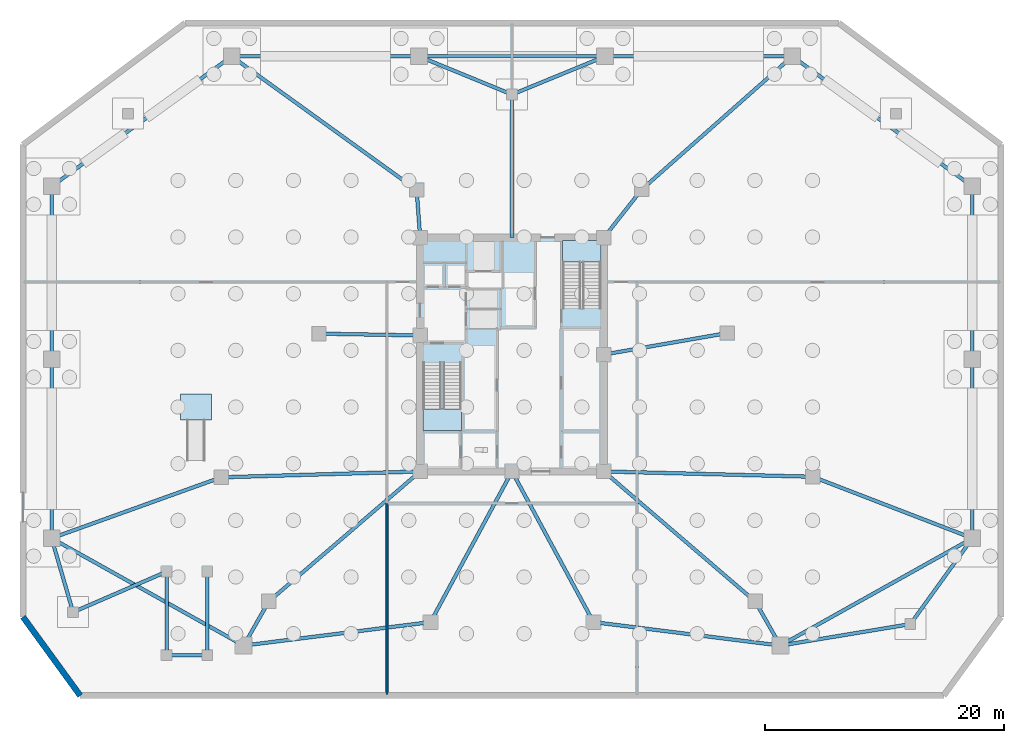
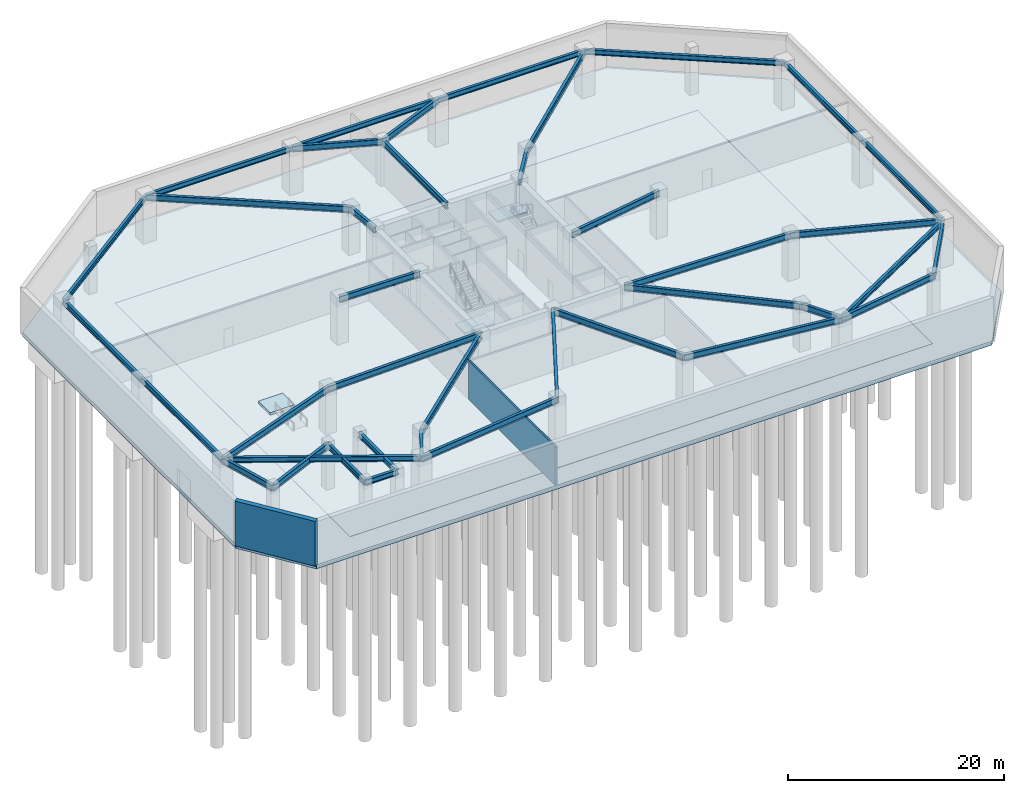
# One storey, part 2 of 12: 39 beams, 5 slabs, 2 walls, 2 elements without a shape of their own.
"""IFC4 building model written with IfcOpenShell, lengths in metres."""

from ifc_helpers import new_model, si_unit, direction, frame, frame_2d, origin, origin_2d, place, context, subcontext, project, spatial, polyline, rectangle, i_section, outline, extrude, material, layer, layer_set, material_profile, profile_set, type_object, element, aggregate, save


model = new_model("IFC4")

# Units and contexts
model_context = context("Model", 3, precision=1e-05, world=origin(), true_north=direction((0.0, 1.0)))
body_context = subcontext(model_context, "Body", "Model", "MODEL_VIEW")
ifc_project = project(units=[si_unit("LENGTHUNIT", "METRE"), si_unit("AREAUNIT", "SQUARE_METRE"), si_unit("VOLUMEUNIT", "CUBIC_METRE"), si_unit("PLANEANGLEUNIT", "RADIAN"), si_unit("MASSUNIT", "GRAM", prefix="KILO")], contexts=[model_context])

# Site, building, storey
site_placement = place(None, origin())
site = spatial("IfcSite", under=ifc_project, at=site_placement, CompositionType="ELEMENT")
building_placement = place(site_placement, origin())
building = spatial("IfcBuilding", under=site, at=building_placement, Name="Savorim Split Tower", CompositionType="ELEMENT")
storey_placement = place(building_placement, frame((0.0, 0.0, -5.39990234375)))
storey = spatial("IfcBuildingStorey", under=building, at=storey_placement, Name="B01", CompositionType="ELEMENT", Elevation=-5.39990234375)

# Beams
ifc_material_1 = material(Name="Steel S355", Category="steel")
ifc_material_profile_1 = material_profile(ifc_material_1, i_section(OverallWidth=0.300048828125, OverallDepth=0.60009765625, WebThickness=0.015380859375, FlangeThickness=0.030029296875, FilletRadius=0.027099609375, at=origin_2d()), Name="HEB 600")
ifc_profile_set_1 = profile_set([ifc_material_profile_1], Name="Steel S355")
beam_type_1 = type_object("IfcBeamType", Name="BM-PRI-HEB600", PredefinedType="BEAM", material=ifc_profile_set_1)
beam_1_placement = place(storey_placement, frame((-28.949951171875, -24.800048828125, 4.77978515625), z_axis=(1.0, 0.0, 0.0), x_axis=(0.0, 1.0, 0.0)))
element("IfcBeam", 1, at=beam_1_placement, inside=storey, type_object=beam_type_1, Name="B01 Exterior Garden Stair Framing Beam 1", PredefinedType="BEAM", context=body_context, shape_type="SweptSolid", body=[
    extrude(i_section(OverallWidth=0.300048828125, OverallDepth=0.60009765625, WebThickness=0.015380859375, FlangeThickness=0.030029296875, FilletRadius=0.027099609375, at=origin_2d()), origin(), (0.0, 0.0, 1.0), 3.39990234375),
])
for number, where, z_axis, x_axis, name in (
    (2, (-28.949951171875, -24.800048828125, 4.77978515625), (0.0, 1.0, 0.0), (-1.0, 0.0, 0.0), "B01 Exterior Garden Stair Framing Beam 3"),
    (3, (-25.550048828125, -24.800048828125, 4.77978515625), (0.0, 1.0, 0.0), (-1.0, 0.0, 0.0), "B01 Exterior Garden Stair Framing Beam 4"),
):
    element("IfcBeam", number, at=place(storey_placement, frame(where, z_axis=z_axis, x_axis=x_axis)), inside=storey, type_object=beam_type_1, Name=name, PredefinedType="BEAM", context=body_context, shape_type="SweptSolid", body=[
        extrude(i_section(OverallWidth=0.300048828125, OverallDepth=0.60009765625, WebThickness=0.015380859375, FlangeThickness=0.030029296875, FilletRadius=0.027099609375, at=origin_2d()), origin(), (0.0, 0.0, 1.0), 7.0),
    ])
ifc_material_profile_2 = material_profile(ifc_material_1, i_section(OverallWidth=0.300048828125, OverallDepth=0.699951171875, WebThickness=0.01708984375, FlangeThickness=0.031982421875, FilletRadius=0.027099609375, at=origin_2d()), Name="HEB 700")
ifc_profile_set_2 = profile_set([ifc_material_profile_2], Name="Steel S355")
beam_type_2 = type_object("IfcBeamType", Name="BM-PRI-HEB700", PredefinedType="BEAM", material=ifc_profile_set_2)
beam_2_placement = place(storey_placement, frame((-22.5, -24.0, 4.72998046875), z_axis=(0.495603085314, 0.868549124591, 0.0), x_axis=(-0.868549124591, 0.495603085314, 0.0)))
element("IfcBeam", 4, at=beam_2_placement, inside=storey, type_object=beam_type_2, Name="B01 Podium Primary Girder BG-01", PredefinedType="BEAM", context=body_context, shape_type="SweptSolid", body=[
    extrude(i_section(OverallWidth=0.300048828125, OverallDepth=0.699951171875, WebThickness=0.01708984375, FlangeThickness=0.031982421875, FilletRadius=0.027099609375, at=origin_2d()), origin(), (0.0, 0.0, 1.0), 4.26953125),
])
for number, where, z_axis, x_axis, name in (
    (5, (-22.5, -24.0, 4.72998046875), (0.992201816191, 0.124641710303, 0.0), (-0.124641710303, 0.992201816191, 0.0), "B01 Podium Primary Girder BG-02"),
    (6, (22.5, -24.0, 4.72998046875), (-0.992201816191, 0.124641710303, 0.0), (-0.124641710303, -0.992201816191, 0.0), "B01 Podium Primary Girder BG-03"),
):
    element("IfcBeam", number, at=place(storey_placement, frame(where, z_axis=z_axis, x_axis=x_axis)), inside=storey, type_object=beam_type_2, Name=name, PredefinedType="BEAM", context=body_context, shape_type="SweptSolid", body=[
        extrude(i_section(OverallWidth=0.300048828125, OverallDepth=0.699951171875, WebThickness=0.01708984375, FlangeThickness=0.031982421875, FilletRadius=0.027099609375, at=origin_2d()), origin(), (0.0, 0.0, 1.0), 15.791259765625),
    ])
beam_3_placement = place(storey_placement, frame((22.5, -24.0, 4.72998046875), z_axis=(-0.495603085314, 0.868549124591, 0.0), x_axis=(-0.868549124591, -0.495603085314, 0.0)))
element("IfcBeam", 7, at=beam_3_placement, inside=storey, type_object=beam_type_2, Name="B01 Podium Primary Girder BG-04", PredefinedType="BEAM", context=body_context, shape_type="SweptSolid", body=[
    extrude(i_section(OverallWidth=0.300048828125, OverallDepth=0.699951171875, WebThickness=0.01708984375, FlangeThickness=0.031982421875, FilletRadius=0.027099609375, at=origin_2d()), origin(), (0.0, 0.0, 1.0), 4.26953125),
])
beam_4_placement = place(storey_placement, frame((22.5, -24.0, 4.72998046875), z_axis=(0.986636527583, 0.162936682298, 0.0), x_axis=(-0.162936682298, 0.986636527583, 0.0)))
element("IfcBeam", 8, at=beam_4_placement, inside=storey, type_object=beam_type_2, Name="B01 Podium Primary Girder BG-05", PredefinedType="BEAM", context=body_context, shape_type="SweptSolid", body=[
    extrude(i_section(OverallWidth=0.300048828125, OverallDepth=0.699951171875, WebThickness=0.01708984375, FlangeThickness=0.031982421875, FilletRadius=0.027099609375, at=origin_2d()), origin(), (0.0, 0.0, 1.0), 11.047607421875),
])
beam_5_placement = place(storey_placement, frame((33.39990234375, -22.199951171875, 4.72998046875), z_axis=(0.585507615617, 0.810666905735, 0.0), x_axis=(-0.810666905735, 0.585507615617, 0.0)))
element("IfcBeam", 9, at=beam_5_placement, inside=storey, type_object=beam_type_2, Name="B01 Podium Primary Girder BG-06", PredefinedType="BEAM", context=body_context, shape_type="SweptSolid", body=[
    extrude(i_section(OverallWidth=0.300048828125, OverallDepth=0.699951171875, WebThickness=0.01708984375, FlangeThickness=0.031982421875, FilletRadius=0.027099609375, at=origin_2d()), origin(), (0.0, 0.0, 1.0), 8.881591796875),
])
beam_6_placement = place(storey_placement, frame((38.60009765625, -15.0, 4.72998046875), z_axis=(-0.933209998247, 0.359331461427, 0.0), x_axis=(-0.359331461427, -0.933209998247, 0.0)))
element("IfcBeam", 10, at=beam_6_placement, inside=storey, type_object=beam_type_2, Name="B01 Podium Primary Girder BG-07", PredefinedType="BEAM", context=body_context, shape_type="SweptSolid", body=[
    extrude(i_section(OverallWidth=0.300048828125, OverallDepth=0.699951171875, WebThickness=0.01708984375, FlangeThickness=0.031982421875, FilletRadius=0.027099609375, at=origin_2d()), origin(), (0.0, 0.0, 1.0), 14.3447265625),
])
beam_7_placement = place(storey_placement, frame((23.5, 25.39990234375, 4.72998046875), z_axis=(-0.749278545997, -0.66225498149, 0.0), x_axis=(0.66225498149, -0.749278545997, 0.0)))
element("IfcBeam", 11, at=beam_7_placement, inside=storey, type_object=beam_type_2, Name="B01 Podium Primary Girder BG-11", PredefinedType="BEAM", context=body_context, shape_type="SweptSolid", body=[
    extrude(i_section(OverallWidth=0.300048828125, OverallDepth=0.699951171875, WebThickness=0.01708984375, FlangeThickness=0.031982421875, FilletRadius=0.027099609375, at=origin_2d()), origin(), (0.0, 0.0, 1.0), 16.83544921875),
])
for number, where, z_axis, x_axis, name in (
    (12, (7.800048828125, 25.39990234375, 4.72998046875), (-0.925171486421, -0.379549365317, 0.0), (0.379549365317, -0.925171486421, 0.0), "B01 Podium Primary Girder BG-12"),
    (13, (-7.800048828125, 25.39990234375, 4.72998046875), (0.925171486421, -0.379549365317, 0.0), (0.379549365317, 0.925171486421, 0.0), "B01 Podium Primary Girder BG-13"),
):
    element("IfcBeam", number, at=place(storey_placement, frame(where, z_axis=z_axis, x_axis=x_axis)), inside=storey, type_object=beam_type_2, Name=name, PredefinedType="BEAM", context=body_context, shape_type="SweptSolid", body=[
        extrude(i_section(OverallWidth=0.300048828125, OverallDepth=0.699951171875, WebThickness=0.01708984375, FlangeThickness=0.031982421875, FilletRadius=0.027099609375, at=origin_2d()), origin(), (0.0, 0.0, 1.0), 8.430908203125),
    ])
beam_8_placement = place(storey_placement, frame((0.0, 22.199951171875, 4.72998046875), z_axis=(0.0, -1.0, 0.0), x_axis=(1.0, 0.0, 0.0)))
element("IfcBeam", 14, at=beam_8_placement, inside=storey, type_object=beam_type_2, Name="B01 Podium Primary Girder BG-14", PredefinedType="BEAM", context=body_context, shape_type="SweptSolid", body=[
    extrude(i_section(OverallWidth=0.300048828125, OverallDepth=0.699951171875, WebThickness=0.01708984375, FlangeThickness=0.031982421875, FilletRadius=0.027099609375, at=origin_2d()), origin(), (0.0, 0.0, 1.0), 12.0),
])
beam_9_placement = place(storey_placement, frame((-23.5, 25.39990234375, 4.72998046875), z_axis=(0.810720623397, -0.585433233426, 0.0), x_axis=(0.585433233426, 0.810720623397, 0.0)))
element("IfcBeam", 15, at=beam_9_placement, inside=storey, type_object=beam_type_2, Name="B01 Podium Primary Girder BG-15", PredefinedType="BEAM", context=body_context, shape_type="SweptSolid", body=[
    extrude(i_section(OverallWidth=0.300048828125, OverallDepth=0.699951171875, WebThickness=0.01708984375, FlangeThickness=0.031982421875, FilletRadius=0.027099609375, at=origin_2d()), origin(), (0.0, 0.0, 1.0), 19.128173828125),
])
beam_10_placement = place(storey_placement, frame((-38.60009765625, -15.0, 4.72998046875), z_axis=(0.941138119123, 0.338022248874, 0.0), x_axis=(-0.338022248874, 0.941138119123, 0.0)))
element("IfcBeam", 16, at=beam_10_placement, inside=storey, type_object=beam_type_2, Name="B01 Podium Primary Girder BG-19", PredefinedType="BEAM", context=body_context, shape_type="SweptSolid", body=[
    extrude(i_section(OverallWidth=0.300048828125, OverallDepth=0.699951171875, WebThickness=0.01708984375, FlangeThickness=0.031982421875, FilletRadius=0.027099609375, at=origin_2d()), origin(), (0.0, 0.0, 1.0), 15.104736328125),
])
beam_11_placement = place(storey_placement, frame((-38.60009765625, -15.0, 4.72998046875), z_axis=(0.278819195264, -0.960343613689, 0.0), x_axis=(0.960343613689, 0.278819195264, 0.0)))
element("IfcBeam", 17, at=beam_11_placement, inside=storey, type_object=beam_type_2, Name="B01 Podium Primary Girder BG-20", PredefinedType="BEAM", context=body_context, shape_type="SweptSolid", body=[
    extrude(i_section(OverallWidth=0.300048828125, OverallDepth=0.699951171875, WebThickness=0.01708984375, FlangeThickness=0.031982421875, FilletRadius=0.027099609375, at=origin_2d()), origin(), (0.0, 0.0, 1.0), 6.4560546875),
])
beam_12_placement = place(storey_placement, frame((-36.800048828125, -21.199951171875, 4.72998046875), z_axis=(0.917632654505, 0.397429630735, 0.0), x_axis=(-0.397429630735, 0.917632654505, 0.0)))
element("IfcBeam", 18, at=beam_12_placement, inside=storey, type_object=beam_type_2, Name="B01 Podium Primary Girder BG-21", PredefinedType="BEAM", context=body_context, shape_type="SweptSolid", body=[
    extrude(i_section(OverallWidth=0.300048828125, OverallDepth=0.699951171875, WebThickness=0.01708984375, FlangeThickness=0.031982421875, FilletRadius=0.027099609375, at=origin_2d()), origin(), (0.0, 0.0, 1.0), 8.5546875),
])
beam_13_placement = place(storey_placement, frame((-20.384033203125, -20.291748046875, 4.72998046875), z_axis=(0.758671842154, 0.651472974054, 0.0), x_axis=(-0.651472974054, 0.758671842154, 0.0)))
element("IfcBeam", 19, at=beam_13_placement, inside=storey, type_object=beam_type_2, Name="B01 Podium Primary Girder BG-22", PredefinedType="BEAM", context=body_context, shape_type="SweptSolid", body=[
    extrude(i_section(OverallWidth=0.300048828125, OverallDepth=0.699951171875, WebThickness=0.01708984375, FlangeThickness=0.031982421875, FilletRadius=0.027099609375, at=origin_2d()), origin(), (0.0, 0.0, 1.0), 16.71875),
])
for number, where, z_axis, x_axis, name in (
    (20, (-6.831787109375, -22.03173828125, 4.72998046875), (0.47572005496, 0.879596742438, 0.0), (-0.879596742438, 0.47572005496, 0.0), "B01 Podium Primary Girder BG-23"),
    (21, (6.831787109375, -22.03173828125, 4.72998046875), (-0.47572005496, 0.879596742438, 0.0), (-0.879596742438, -0.47572005496, 0.0), "B01 Podium Primary Girder BG-24"),
):
    element("IfcBeam", number, at=place(storey_placement, frame(where, z_axis=z_axis, x_axis=x_axis)), inside=storey, type_object=beam_type_2, Name=name, PredefinedType="BEAM", context=body_context, shape_type="SweptSolid", body=[
        extrude(i_section(OverallWidth=0.300048828125, OverallDepth=0.699951171875, WebThickness=0.01708984375, FlangeThickness=0.031982421875, FilletRadius=0.027099609375, at=origin_2d()), origin(), (0.0, 0.0, 1.0), 14.36083984375),
    ])
beam_14_placement = place(storey_placement, frame((20.384033203125, -20.291748046875, 4.72998046875), z_axis=(-0.758671842154, 0.651472974054, 0.0), x_axis=(-0.651472974054, -0.758671842154, 0.0)))
element("IfcBeam", 22, at=beam_14_placement, inside=storey, type_object=beam_type_2, Name="B01 Podium Primary Girder BG-25", PredefinedType="BEAM", context=body_context, shape_type="SweptSolid", body=[
    extrude(i_section(OverallWidth=0.300048828125, OverallDepth=0.699951171875, WebThickness=0.01708984375, FlangeThickness=0.031982421875, FilletRadius=0.027099609375, at=origin_2d()), origin(), (0.0, 0.0, 1.0), 16.71875),
])
beam_15_placement = place(storey_placement, frame((25.21337890625, -9.845458984375, 4.72998046875), z_axis=(-0.999676538363, 0.025432629574, 0.0), x_axis=(-0.025432629574, -0.999676538363, 0.0)))
element("IfcBeam", 23, at=beam_15_placement, inside=storey, type_object=beam_type_2, Name="B01 Podium Primary Girder BG-26", PredefinedType="BEAM", context=body_context, shape_type="SweptSolid", body=[
    extrude(i_section(OverallWidth=0.300048828125, OverallDepth=0.699951171875, WebThickness=0.01708984375, FlangeThickness=0.031982421875, FilletRadius=0.027099609375, at=origin_2d()), origin(), (0.0, 0.0, 1.0), 17.51904296875),
])
beam_16_placement = place(storey_placement, frame((18.049560546875, 2.202392578125, 4.72998046875), z_axis=(-0.985170620197, -0.171577530876, 0.0), x_axis=(0.171577530876, -0.985170620197, 0.0)))
element("IfcBeam", 24, at=beam_16_placement, inside=storey, type_object=beam_type_2, Name="B01 Podium Primary Girder BG-27", PredefinedType="BEAM", context=body_context, shape_type="SweptSolid", body=[
    extrude(i_section(OverallWidth=0.300048828125, OverallDepth=0.699951171875, WebThickness=0.01708984375, FlangeThickness=0.031982421875, FilletRadius=0.027099609375, at=origin_2d()), origin(), (0.0, 0.0, 1.0), 10.50537109375),
])
beam_17_placement = place(storey_placement, frame((10.885498046875, 14.25048828125, 4.72998046875), z_axis=(-0.618179283891, -0.786037132054, 0.0), x_axis=(0.786037132054, -0.618179283891, 0.0)))
element("IfcBeam", 25, at=beam_17_placement, inside=storey, type_object=beam_type_2, Name="B01 Podium Primary Girder BG-28", PredefinedType="BEAM", context=body_context, shape_type="SweptSolid", body=[
    extrude(i_section(OverallWidth=0.300048828125, OverallDepth=0.699951171875, WebThickness=0.01708984375, FlangeThickness=0.031982421875, FilletRadius=0.027099609375, at=origin_2d()), origin(), (0.0, 0.0, 1.0), 5.153076171875),
])
beam_18_placement = place(storey_placement, frame((-7.992431640625, 14.20166015625, 4.72998046875), z_axis=(0.072894449016, -0.997339660949, 0.0), x_axis=(0.997339660949, 0.072894449016, 0.0)))
element("IfcBeam", 26, at=beam_18_placement, inside=storey, type_object=beam_type_2, Name="B01 Podium Primary Girder BG-29", PredefinedType="BEAM", context=body_context, shape_type="SweptSolid", body=[
    extrude(i_section(OverallWidth=0.300048828125, OverallDepth=0.699951171875, WebThickness=0.01708984375, FlangeThickness=0.031982421875, FilletRadius=0.027099609375, at=origin_2d()), origin(), (0.0, 0.0, 1.0), 4.012451171875),
])
beam_19_placement = place(storey_placement, frame((-16.1884765625, 2.15380859375, 4.72998046875), z_axis=(0.999835880654, -0.018116615514, 0.0), x_axis=(0.018116615514, 0.999835880654, 0.0)))
element("IfcBeam", 27, at=beam_19_placement, inside=storey, type_object=beam_type_2, Name="B01 Podium Primary Girder BG-30", PredefinedType="BEAM", context=body_context, shape_type="SweptSolid", body=[
    extrude(i_section(OverallWidth=0.300048828125, OverallDepth=0.699951171875, WebThickness=0.01708984375, FlangeThickness=0.031982421875, FilletRadius=0.027099609375, at=origin_2d()), origin(), (0.0, 0.0, 1.0), 8.489990234375),
])
beam_20_placement = place(storey_placement, frame((-24.384521484375, -9.894287109375, 4.72998046875), z_axis=(0.999561283227, 0.029618255758, 0.0), x_axis=(-0.029618255758, 0.999561283227, 0.0)))
element("IfcBeam", 28, at=beam_20_placement, inside=storey, type_object=beam_type_2, Name="B01 Podium Primary Girder BG-31", PredefinedType="BEAM", context=body_context, shape_type="SweptSolid", body=[
    extrude(i_section(OverallWidth=0.300048828125, OverallDepth=0.699951171875, WebThickness=0.01708984375, FlangeThickness=0.031982421875, FilletRadius=0.027099609375, at=origin_2d()), origin(), (0.0, 0.0, 1.0), 16.69189453125),
])
ifc_material_profile_3 = material_profile(ifc_material_1, i_section(OverallWidth=0.300048828125, OverallDepth=0.590087890625, WebThickness=0.012939453125, FlangeThickness=0.02490234375, FilletRadius=0.027099609375, at=origin_2d()), Name="HEA 600")
ifc_profile_set_3 = profile_set([ifc_material_profile_3], Name="Steel S355")
beam_type_3 = type_object("IfcBeamType", Name="BM-SPN-HEA600", PredefinedType="SPANDREL", material=ifc_profile_set_3)
beam_21_placement = place(storey_placement, frame((22.5, -24.0, 4.784912109375), z_axis=(0.872876830371, 0.487940610117, 0.0), x_axis=(-0.487940610117, 0.872876830371, 0.0)))
element("IfcBeam", 29, at=beam_21_placement, inside=storey, type_object=beam_type_3, Name="B01 Podium Spandrel Beam 2", PredefinedType="SPANDREL", context=body_context, shape_type="SweptSolid", body=[
    extrude(i_section(OverallWidth=0.300048828125, OverallDepth=0.590087890625, WebThickness=0.012939453125, FlangeThickness=0.02490234375, FilletRadius=0.027099609375, at=origin_2d()), origin(), (0.0, 0.0, 1.0), 18.44482421875),
])
beam_22_placement = place(storey_placement, frame((38.60009765625, -15.0, 4.784912109375), z_axis=(0.0, 1.0, 0.0), x_axis=(-1.0, 0.0, 0.0)))
element("IfcBeam", 30, at=beam_22_placement, inside=storey, type_object=beam_type_3, Name="B01 Podium Spandrel Beam 3", PredefinedType="SPANDREL", context=body_context, shape_type="SweptSolid", body=[
    extrude(i_section(OverallWidth=0.300048828125, OverallDepth=0.590087890625, WebThickness=0.012939453125, FlangeThickness=0.02490234375, FilletRadius=0.027099609375, at=origin_2d()), origin(), (0.0, 0.0, 1.0), 15.0),
])
beam_23_placement = place(storey_placement, frame((38.60009765625, 0.0, 4.784912109375), z_axis=(0.0, 1.0, 0.0), x_axis=(-1.0, 0.0, 0.0)))
element("IfcBeam", 31, at=beam_23_placement, inside=storey, type_object=beam_type_3, Name="B01 Podium Spandrel Beam 4", PredefinedType="SPANDREL", context=body_context, shape_type="SweptSolid", body=[
    extrude(i_section(OverallWidth=0.300048828125, OverallDepth=0.590087890625, WebThickness=0.012939453125, FlangeThickness=0.02490234375, FilletRadius=0.027099609375, at=origin_2d()), origin(), (0.0, 0.0, 1.0), 14.5),
])
beam_24_placement = place(storey_placement, frame((38.60009765625, 14.5, 4.784912109375), z_axis=(-0.810825083438, 0.585288547699, 0.0), x_axis=(-0.585288547699, -0.810825083438, 0.0)))
element("IfcBeam", 32, at=beam_24_placement, inside=storey, type_object=beam_type_3, Name="B01 Podium Spandrel Beam 5", PredefinedType="SPANDREL", context=body_context, shape_type="SweptSolid", body=[
    extrude(i_section(OverallWidth=0.300048828125, OverallDepth=0.590087890625, WebThickness=0.012939453125, FlangeThickness=0.02490234375, FilletRadius=0.027099609375, at=origin_2d()), origin(), (0.0, 0.0, 1.0), 18.623046875),
])
beam_25_placement = place(storey_placement, frame((23.5, 25.39990234375, 4.784912109375), z_axis=(-1.0, 0.0, 0.0), x_axis=(0.0, -1.0, 0.0)))
element("IfcBeam", 33, at=beam_25_placement, inside=storey, type_object=beam_type_3, Name="B01 Podium Spandrel Beam 6", PredefinedType="SPANDREL", context=body_context, shape_type="SweptSolid", body=[
    extrude(i_section(OverallWidth=0.300048828125, OverallDepth=0.590087890625, WebThickness=0.012939453125, FlangeThickness=0.02490234375, FilletRadius=0.027099609375, at=origin_2d()), origin(), (0.0, 0.0, 1.0), 15.699951171875),
])
beam_26_placement = place(storey_placement, frame((7.800048828125, 25.39990234375, 4.784912109375), z_axis=(-1.0, 0.0, 0.0), x_axis=(0.0, -1.0, 0.0)))
element("IfcBeam", 34, at=beam_26_placement, inside=storey, type_object=beam_type_3, Name="B01 Podium Spandrel Beam 7", PredefinedType="SPANDREL", context=body_context, shape_type="SweptSolid", body=[
    extrude(i_section(OverallWidth=0.300048828125, OverallDepth=0.590087890625, WebThickness=0.012939453125, FlangeThickness=0.02490234375, FilletRadius=0.027099609375, at=origin_2d()), origin(), (0.0, 0.0, 1.0), 15.60009765625),
])
beam_27_placement = place(storey_placement, frame((-7.800048828125, 25.39990234375, 4.784912109375), z_axis=(-1.0, 0.0, 0.0), x_axis=(0.0, -1.0, 0.0)))
element("IfcBeam", 35, at=beam_27_placement, inside=storey, type_object=beam_type_3, Name="B01 Podium Spandrel Beam 8", PredefinedType="SPANDREL", context=body_context, shape_type="SweptSolid", body=[
    extrude(i_section(OverallWidth=0.300048828125, OverallDepth=0.590087890625, WebThickness=0.012939453125, FlangeThickness=0.02490234375, FilletRadius=0.027099609375, at=origin_2d()), origin(), (0.0, 0.0, 1.0), 15.699951171875),
])
beam_28_placement = place(storey_placement, frame((-23.5, 25.39990234375, 4.784912109375), z_axis=(-0.810825083438, -0.585288547699, 0.0), x_axis=(0.585288547699, -0.810825083438, 0.0)))
element("IfcBeam", 36, at=beam_28_placement, inside=storey, type_object=beam_type_3, Name="B01 Podium Spandrel Beam 9", PredefinedType="SPANDREL", context=body_context, shape_type="SweptSolid", body=[
    extrude(i_section(OverallWidth=0.300048828125, OverallDepth=0.590087890625, WebThickness=0.012939453125, FlangeThickness=0.02490234375, FilletRadius=0.027099609375, at=origin_2d()), origin(), (0.0, 0.0, 1.0), 18.623046875),
])
beam_29_placement = place(storey_placement, frame((-38.60009765625, 14.5, 4.784912109375), z_axis=(0.0, -1.0, 0.0), x_axis=(1.0, 0.0, 0.0)))
element("IfcBeam", 37, at=beam_29_placement, inside=storey, type_object=beam_type_3, Name="B01 Podium Spandrel Beam 10", PredefinedType="SPANDREL", context=body_context, shape_type="SweptSolid", body=[
    extrude(i_section(OverallWidth=0.300048828125, OverallDepth=0.590087890625, WebThickness=0.012939453125, FlangeThickness=0.02490234375, FilletRadius=0.027099609375, at=origin_2d()), origin(), (0.0, 0.0, 1.0), 14.5),
])
beam_30_placement = place(storey_placement, frame((-38.60009765625, 0.0, 4.784912109375), z_axis=(0.0, -1.0, 0.0), x_axis=(1.0, 0.0, 0.0)))
element("IfcBeam", 38, at=beam_30_placement, inside=storey, type_object=beam_type_3, Name="B01 Podium Spandrel Beam 11", PredefinedType="SPANDREL", context=body_context, shape_type="SweptSolid", body=[
    extrude(i_section(OverallWidth=0.300048828125, OverallDepth=0.590087890625, WebThickness=0.012939453125, FlangeThickness=0.02490234375, FilletRadius=0.027099609375, at=origin_2d()), origin(), (0.0, 0.0, 1.0), 15.0),
])
beam_31_placement = place(storey_placement, frame((-38.60009765625, -15.0, 4.784912109375), z_axis=(0.872876830371, -0.487940610117, 0.0), x_axis=(0.487940610117, 0.872876830371, 0.0)))
element("IfcBeam", 39, at=beam_31_placement, inside=storey, type_object=beam_type_3, Name="B01 Podium Spandrel Beam 12", PredefinedType="SPANDREL", context=body_context, shape_type="SweptSolid", body=[
    extrude(i_section(OverallWidth=0.300048828125, OverallDepth=0.590087890625, WebThickness=0.012939453125, FlangeThickness=0.02490234375, FilletRadius=0.027099609375, at=origin_2d()), origin(), (0.0, 0.0, 1.0), 18.44482421875),
])

# Slab
ifc_material_2 = material(Name="Concrete C50/60", Category="concrete")
ifc_layer_1 = layer(ifc_material_2, 0.449951171875)
ifc_layer_set_1 = layer_set([ifc_layer_1], Name="SLB-BASE-450")
slab_type_1 = type_object("IfcSlabType", Name="SLB-BASE-450", PredefinedType="BASESLAB", material=ifc_layer_set_1)
slab_1_placement = place(storey_placement, frame((0.0, 0.0, -0.4501953125)))
element("IfcSlab", 40, at=slab_1_placement, inside=storey, type_object=slab_type_1, Name="B01 Substructure Perimeter Floor Slab", PredefinedType="BASESLAB", context=body_context, shape_type="SweptSolid", body=[
    extrude(outline(polyline([(-36.199951171875, -28.199951171875), (36.199951171875, -28.199951171875), (41.0, -21.60009765625), (41.0, 18.0), (27.39990234375, 28.199951171875), (-27.39990234375, 28.199951171875), (-41.0, 18.0), (-41.0, -21.60009765625), (-36.199951171875, -28.199951171875)]), holes=[polyline([(-31.2099609375, -25.800048828125), (-31.2099609375, 17.800048828125), (-31.2099609375, 17.801025390625), (-31.209716796875, 17.802001953125), (-31.209716796875, 17.802978515625), (-31.209228515625, 17.8037109375), (-31.208740234375, 17.8046875), (-31.208251953125, 17.8056640625), (-31.207763671875, 17.806396484375), (-31.20703125, 17.80712890625), (-31.206298828125, 17.8076171875), (-31.20556640625, 17.808349609375), (-31.20458984375, 17.808837890625), (-31.203857421875, 17.80908203125), (-31.202880859375, 17.8095703125), (-31.201904296875, 17.809814453125), (-31.200927734375, 17.81005859375), (-31.199951171875, 17.81005859375), (31.199951171875, 17.81005859375), (31.200927734375, 17.81005859375), (31.201904296875, 17.809814453125), (31.202880859375, 17.8095703125), (31.203857421875, 17.80908203125), (31.20458984375, 17.808837890625), (31.20556640625, 17.808349609375), (31.206298828125, 17.8076171875), (31.20703125, 17.80712890625), (31.207763671875, 17.806396484375), (31.208251953125, 17.8056640625), (31.208740234375, 17.8046875), (31.209228515625, 17.8037109375), (31.209716796875, 17.802978515625), (31.209716796875, 17.802001953125), (31.2099609375, 17.801025390625), (31.2099609375, 17.800048828125), (31.2099609375, -25.800048828125), (31.2099609375, -25.801025390625), (31.209716796875, -25.802001953125), (31.209716796875, -25.802978515625), (31.209228515625, -25.8037109375), (31.208740234375, -25.8046875), (31.208251953125, -25.8056640625), (31.207763671875, -25.806396484375), (31.20703125, -25.80712890625), (31.206298828125, -25.8076171875), (31.20556640625, -25.808349609375), (31.20458984375, -25.808837890625), (31.203857421875, -25.80908203125), (31.202880859375, -25.8095703125), (31.201904296875, -25.809814453125), (31.200927734375, -25.81005859375), (31.199951171875, -25.81005859375), (-31.199951171875, -25.81005859375), (-31.200927734375, -25.81005859375), (-31.201904296875, -25.809814453125), (-31.202880859375, -25.8095703125), (-31.203857421875, -25.80908203125), (-31.20458984375, -25.808837890625), (-31.20556640625, -25.808349609375), (-31.206298828125, -25.8076171875), (-31.20703125, -25.80712890625), (-31.207763671875, -25.806396484375), (-31.208251953125, -25.8056640625), (-31.208740234375, -25.8046875), (-31.209228515625, -25.8037109375), (-31.209716796875, -25.802978515625), (-31.209716796875, -25.802001953125), (-31.2099609375, -25.801025390625), (-31.2099609375, -25.800048828125)])]), origin(), (0.0, 0.0, 1.0), 0.4501953125),
])

# Stair, slab
stair_type = type_object("IfcStairType", Name="STR-DOG-5400", PredefinedType="HALF_TURN_STAIR", material=ifc_material_2)
stair_1_placement = place(storey_placement, origin())
stair_1 = element("IfcStair", 41, at=stair_1_placement, inside=storey, type_object=stair_type, Name="B01 Core Protected Exit Stair ST-1", PredefinedType="HALF_TURN_STAIR")
ifc_layer_2 = layer(ifc_material_2, 0.199951171875)
ifc_layer_set_2 = layer_set([ifc_layer_2], Name="SLB-LND-200")
slab_type_2 = type_object("IfcSlabType", Name="SLB-LND-200", PredefinedType="LANDING", material=ifc_layer_set_2)
slab_2_placement = place(storey_placement, frame((0.0, 0.0, 2.5)))
slab_2 = element("IfcSlab", 42, at=slab_2_placement, type_object=slab_type_2, Name="ST-1 landing 1", PredefinedType="LANDING", context=body_context, shape_type="SweptSolid", body=[
    extrude(outline(polyline([(-7.449951171875, -4.169921875), (-7.449951171875, -5.949951171875), (-4.25, -5.949951171875), (-4.25, -4.169921875), (-7.449951171875, -4.169921875)])), origin(), (0.0, 0.0, 1.0), 0.199951171875),
])
aggregate(stair_1, [slab_2])

stair_2_placement = place(storey_placement, origin())
stair_2 = element("IfcStair", 43, at=stair_2_placement, inside=storey, type_object=stair_type, Name="B01 Core Protected Exit Stair ST-2", PredefinedType="HALF_TURN_STAIR")
slab_3_placement = place(storey_placement, frame((0.0, 0.0, 2.5)))
slab_3 = element("IfcSlab", 44, at=slab_3_placement, type_object=slab_type_2, Name="ST-2 landing 1", PredefinedType="LANDING", context=body_context, shape_type="SweptSolid", body=[
    extrude(outline(polyline([(7.449951171875, 8.169921875), (7.449951171875, 9.949951171875), (4.25, 9.949951171875), (4.25, 8.169921875), (7.449951171875, 8.169921875)])), origin(), (0.0, 0.0, 1.0), 0.199951171875),
])
aggregate(stair_2, [slab_3])

# Slabs
ifc_layer_3 = layer(ifc_material_2, 0.280029296875)
ifc_layer_set_3 = layer_set([ifc_layer_3], Name="SLB-POD-280")
slab_type_3 = type_object("IfcSlabType", Name="SLB-POD-280", PredefinedType="FLOOR", material=ifc_layer_set_3)
slab_4_placement = place(storey_placement, origin())
element("IfcSlab", 45, at=slab_4_placement, inside=storey, type_object=slab_type_3, Name="B01 Bicycle Hub Threshold Ramp Arrival Plinth Slab", PredefinedType="FLOOR", context=body_context, shape_type="SweptSolid", body=[
    extrude(outline(polyline([(-27.800048828125, -5.10009765625), (-25.199951171875, -5.10009765625), (-25.199951171875, -2.89990234375), (-27.800048828125, -2.89990234375), (-27.800048828125, -5.10009765625)])), origin(), (0.0, 0.0, 1.0), 0.27978515625),
])
ifc_layer_4 = layer(ifc_material_2, 1.800048828125)
ifc_layer_set_4 = layer_set([ifc_layer_4], Name="SLB-RAFT-1800")
slab_type_4 = type_object("IfcSlabType", Name="SLB-RAFT-1800", PredefinedType="BASESLAB", material=ifc_layer_set_4)
slab_5_placement = place(storey_placement, frame((0.0, 0.0, -1.800048828125)))
element("IfcSlab", 46, at=slab_5_placement, inside=storey, type_object=slab_type_4, Name="B01 Piled Raft Base Slab", PredefinedType="BASESLAB", context=body_context, shape_type="SweptSolid", body=[
    extrude(outline(polyline([(-31.199951171875, -25.800048828125), (31.199951171875, -25.800048828125), (31.199951171875, 17.800048828125), (-31.199951171875, 17.800048828125), (-31.199951171875, -25.800048828125)])), origin(), (0.0, 0.0, 1.0), 1.800048828125),
])

# Walls
ifc_layer_5 = layer(ifc_material_2, 0.5)
ifc_layer_set_5 = layer_set([ifc_layer_5], Name="WAL-EXT-RET500")
wall_type_1 = type_object("IfcWallType", Name="WAL-EXT-RET500", PredefinedType="USERDEFINED", material=ifc_layer_set_5)
wall_1_placement = place(storey_placement, frame((-36.199951171875, -28.199951171875, 0.0), z_axis=(0.0, 0.0, 1.0), x_axis=(-0.58818414925, 0.808727028466, 0.0)))
element("IfcWall", 47, at=wall_1_placement, inside=storey, type_object=wall_type_1, Name="B01 Perimeter Basement Retaining Wall 8", ObjectType="RETAININGWALL", PredefinedType="USERDEFINED", context=body_context, shape_type="SweptSolid", body=[
    extrude(rectangle(XDim=8.160888671875, YDim=0.5, at=frame_2d((4.08056640625, 0.0))), origin(), (0.0, 0.0, 1.0), 5.079833984375),
])
ifc_layer_6 = layer(ifc_material_2, 0.199951171875)
ifc_layer_set_6 = layer_set([ifc_layer_6], Name="WAL-INT-RC200")
wall_type_2 = type_object("IfcWallType", Name="WAL-INT-RC200", PredefinedType="SOLIDWALL", material=ifc_layer_set_6)
wall_2_placement = place(storey_placement, frame((-10.47998046875, -28.1201171875, 0.0), z_axis=(0.0, 0.0, 1.0), x_axis=(0.0, 1.0, 0.0)))
element("IfcWall", 48, at=wall_2_placement, inside=storey, type_object=wall_type_2, Name="B01 Partition W-B01-PSW", PredefinedType="SOLIDWALL", context=body_context, shape_type="SweptSolid", body=[
    extrude(rectangle(XDim=16.0400390625, YDim=0.199951171875, at=frame_2d((8.02001953125, 0.0))), origin(), (0.0, 0.0, 1.0), 4.35498046875),
])

save(model, "model.ifc")
